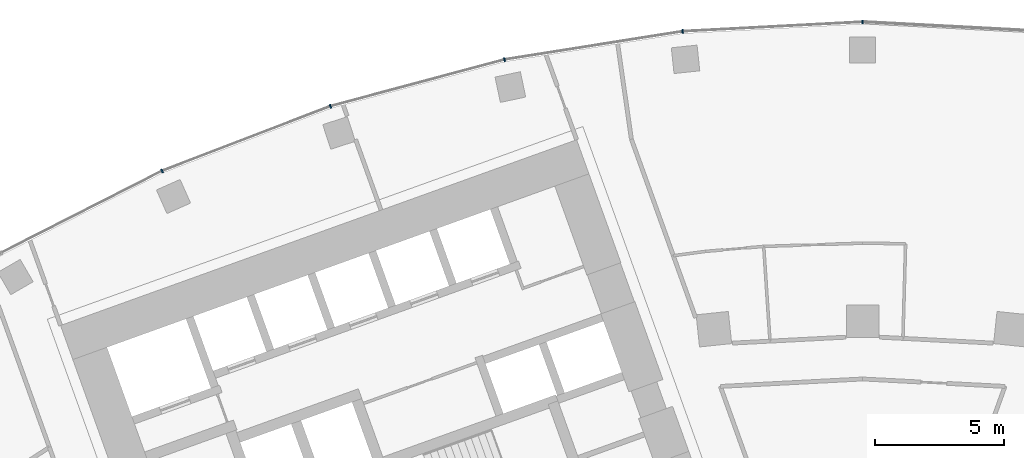
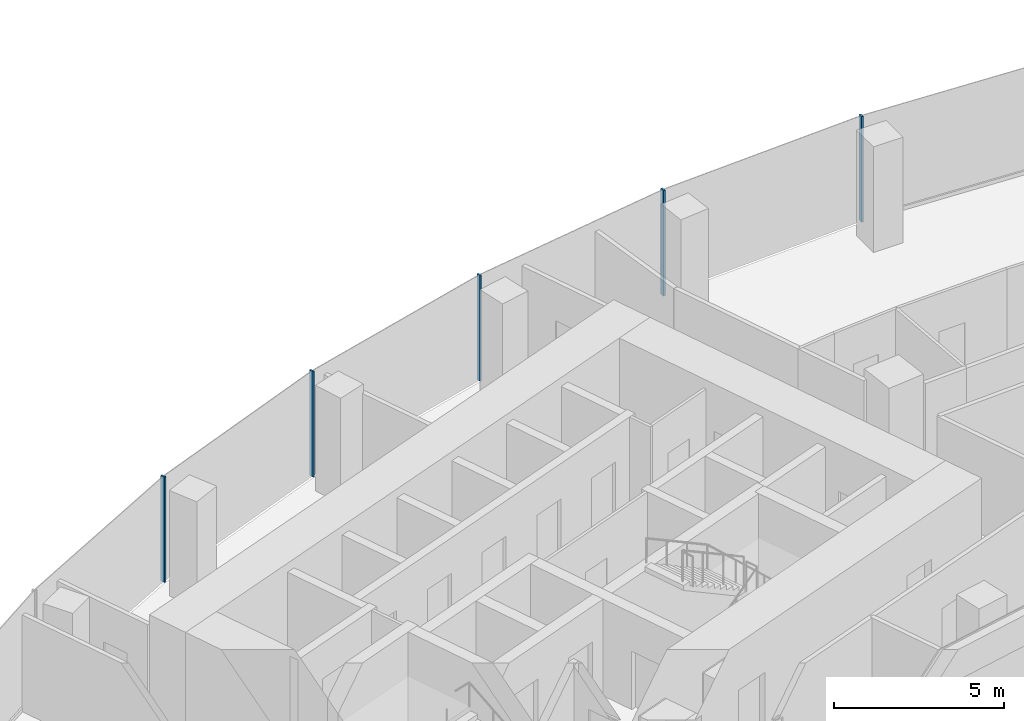
# One storey, part 6 of 20: 5 members, 1 element without a shape of its own.
"""IFC4 building model written with IfcOpenShell, lengths in metres."""

import ifcopenshell
import ifcopenshell.guid

model = None  # the IFC model being written
_history = None  # IfcOwnerHistory: only IFC2X3 demands one
_inside = {}  # id of a spatial element -> (the spatial element, [elements in it])
_under = {}  # id of a project, library or spatial element -> (it, [spatial elements below it])
_declared = {}  # id of a project -> (the project, [libraries it declares])
_typed = {}  # id of a type object -> (the type object, [elements of that type])
_made_of = {}  # id of a material, layer set ... -> (it, [elements and type objects made of it])


def new_model(schema):
    """Start an empty IFC model of exactly this schema.

    Asked for "IFC4X3", IfcOpenShell would pick the latest addendum, in which some entities
    have other attributes; the version numbers below select the first issue.
    IFC2X3 requires an IfcOwnerHistory on every rooted entity: one is made here for all.
    """
    global model, _history
    if schema == "IFC4X3":
        model = ifcopenshell.file(schema_version=(4, 3, 0, 0))
    else:
        model = ifcopenshell.file(schema=schema)
    _inside.clear()
    _under.clear()
    _declared.clear()
    _typed.clear()
    _made_of.clear()
    _history = None
    if model.schema == "IFC2X3":
        org = make("IfcOrganization", Name="unknown")
        user = make(
            "IfcPersonAndOrganization",
            ThePerson=make("IfcPerson", FamilyName="unknown"),
            TheOrganization=org,
        )
        app = make(
            "IfcApplication",
            ApplicationDeveloper=org,
            Version="unknown",
            ApplicationFullName="unknown",
            ApplicationIdentifier="unknown",
        )
        _history = make(
            "IfcOwnerHistory",
            OwningUser=user,
            OwningApplication=app,
            ChangeAction="ADDED",
            CreationDate=0,
        )
    return model


def make(cls, **values):
    """One entity of the class cls with the attributes given. An attribute that is None is left unset."""
    return model.create_entity(
        cls, **{name: value for name, value in values.items() if value is not None}
    )


def rooted(cls, **values):
    """An entity with a GlobalId (a new one), such as an element, a storey or a relation."""
    return make(cls, GlobalId=ifcopenshell.guid.new(), OwnerHistory=_history, **values)


def si_unit(unit_type, name, prefix=None):
    """IfcSIUnit, for example si_unit("LENGTHUNIT", "METRE", prefix="MILLI")."""
    return make("IfcSIUnit", UnitType=unit_type, Prefix=prefix, Name=name)


def assignment(units):
    """IfcUnitAssignment: the units of a project."""
    return None if units is None else make("IfcUnitAssignment", Units=units)


def point(xyz):
    """IfcCartesianPoint."""
    return None if xyz is None else make("IfcCartesianPoint", Coordinates=xyz)


def direction(xyz):
    """IfcDirection."""
    return None if xyz is None else make("IfcDirection", DirectionRatios=xyz)


def frame(location, z_axis=None, x_axis=None):
    """IfcAxis2Placement3D, a coordinate frame: its origin and axes. An axis left out is left unset."""
    return make(
        "IfcAxis2Placement3D",
        Location=point(location),
        Axis=direction(z_axis),
        RefDirection=direction(x_axis),
    )


def frame_2d(location, x_axis=None):
    """IfcAxis2Placement2D, a coordinate frame in the plane: its origin and x axis."""
    return make(
        "IfcAxis2Placement2D", Location=point(location), RefDirection=direction(x_axis)
    )


def origin():
    """The frame at (0, 0, 0) with its axes left unset."""
    return frame((0.0, 0.0, 0.0))


def origin_2d():
    """The frame at (0, 0) in the plane with its x axis left unset."""
    return frame_2d((0.0, 0.0))


def place(relative_to, where):
    """IfcLocalPlacement: puts the frame where relative to a parent placement (None: the world)."""
    return make(
        "IfcLocalPlacement", PlacementRelTo=relative_to, RelativePlacement=where
    )


def context(
    kind, dimensions, precision=None, world=None, true_north=None, identifier=None
):
    """IfcGeometricRepresentationContext, for example the 3D "Model" context."""
    return make(
        "IfcGeometricRepresentationContext",
        ContextIdentifier=identifier,
        ContextType=kind,
        CoordinateSpaceDimension=dimensions,
        Precision=precision,
        WorldCoordinateSystem=world,
        TrueNorth=true_north,
    )


def subcontext(parent, identifier, kind, view, scale=None):
    """IfcGeometricRepresentationSubContext, for example "Body" below "Model"."""
    return make(
        "IfcGeometricRepresentationSubContext",
        ContextIdentifier=identifier,
        ContextType=kind,
        ParentContext=parent,
        TargetScale=scale,
        TargetView=view,
    )


def project(units=None, contexts=None):
    """IfcProject with its units and contexts."""
    return rooted(
        "IfcProject",
        Name="project",
        RepresentationContexts=contexts,
        UnitsInContext=assignment(units),
    )


def spatial(cls, under=None, at=None, **own):
    """A site, building, storey or space (cls), placed at a placement, below another one or the project."""
    s = rooted(cls, ObjectPlacement=at, **own)
    if under is not None:
        _under.setdefault(under.id(), (under, []))[1].append(s)
    return s


def profile(cls, at=None, kind="AREA", **sizes):
    """A parametric profile (cls). Its sizes go by their IFC names, for example OverallWidth=200.0."""
    return make(cls, ProfileType=kind, Position=at, **sizes)


def rectangle(**sizes):
    """IfcRectangleProfileDef."""
    return profile("IfcRectangleProfileDef", **sizes)


def extrude(swept, where, along, depth):
    """IfcExtrudedAreaSolid: the profile swept, set in the frame where, extruded along a direction by depth."""
    return make(
        "IfcExtrudedAreaSolid",
        SweptArea=swept,
        Position=where,
        ExtrudedDirection=direction(along),
        Depth=depth,
    )


def shape(context_of_items, identifier, shape_type, items):
    """IfcShapeRepresentation: the items that make up one representation, for example the "Body"."""
    return make(
        "IfcShapeRepresentation",
        ContextOfItems=context_of_items,
        RepresentationIdentifier=identifier,
        RepresentationType=shape_type,
        Items=items,
    )


def material(Name=None, Category=None):
    """IfcMaterial."""
    return make("IfcMaterial", Name=Name, Category=Category)


def layer(
    of_material, thickness, ventilated=None, Name=None, Category=None, Priority=None
):
    """IfcMaterialLayer: one layer of a wall or slab, of a material (None: an air gap)."""
    return make(
        "IfcMaterialLayer",
        Material=of_material,
        LayerThickness=thickness,
        IsVentilated=ventilated,
        Name=Name,
        Category=Category,
        Priority=Priority,
    )


def layer_set(layers, Name=None):
    """IfcMaterialLayerSet."""
    return make("IfcMaterialLayerSet", MaterialLayers=layers, LayerSetName=Name)


def material_profile(
    of_material, cross_section, Name=None, Category=None, Priority=None
):
    """IfcMaterialProfile: a cross section and its material."""
    return make(
        "IfcMaterialProfile",
        Name=Name,
        Material=of_material,
        Profile=cross_section,
        Priority=Priority,
        Category=Category,
    )


def profile_set(profiles, Name=None, composite=None):
    """IfcMaterialProfileSet."""
    return make(
        "IfcMaterialProfileSet",
        Name=Name,
        MaterialProfiles=profiles,
        CompositeProfile=composite,
    )


def made_of(thing, what):
    """Note that an element or type object is made of a material, layer set ...; save() writes the relation."""
    if what is not None:
        _made_of.setdefault(what.id(), (what, []))[1].append(thing)
    return thing


def type_object(cls, material=None, **own):
    """A type object (cls), such as IfcWallType, which elements share."""
    return made_of(rooted(cls, **own), material)


def element(
    cls,
    number,
    at=None,
    inside=None,
    cuts=None,
    type_object=None,
    material=None,
    context=None,
    identifier="Body",
    shape_type=None,
    held_by="IfcProductDefinitionShape",
    body=None,
    shapes=None,
    **own,
):
    """One element of the class cls, such as IfcWall. Its Tag is "e" and its number.

    at: its placement. inside: the storey or other place that contains it. cuts: it is an
    opening in that element (IfcRelVoidsElement). A single representation is given by context,
    identifier, shape_type and body (its items); several are given by shapes. held_by: the class
    of the entity that holds the representations. save() writes the other relations.
    """
    e = rooted(cls, Tag="e%d" % number, ObjectPlacement=at, **own)
    if body is not None:
        shapes = [shape(context, identifier, shape_type, body)]
    if shapes is not None:
        e.Representation = make(held_by, Representations=shapes)
    if inside is not None:
        _inside.setdefault(inside.id(), (inside, []))[1].append(e)
    if cuts is not None:
        rooted(
            "IfcRelVoidsElement", RelatingBuildingElement=cuts, RelatedOpeningElement=e
        )
    if type_object is not None:
        _typed.setdefault(type_object.id(), (type_object, []))[1].append(e)
    return made_of(e, material)


def aggregate(whole, parts):
    """IfcRelAggregates: a whole, such as a stair, and the parts it consists of."""
    return rooted("IfcRelAggregates", RelatingObject=whole, RelatedObjects=parts)


def save(model, path):
    """Write the relations noted so far, then the file.

    IfcRelAggregates (storeys below a building ...), IfcRelContainedInSpatialStructure (elements
    in a storey), IfcRelDefinesByType, IfcRelAssociatesMaterial and IfcRelDeclares: one each for
    every whole, place, type object, material and project.
    """
    for whole, parts in _under.values():
        aggregate(whole, parts)
    for where, things in _inside.values():
        rooted(
            "IfcRelContainedInSpatialStructure",
            RelatedElements=things,
            RelatingStructure=where,
        )
    for kind, things in _typed.values():
        rooted("IfcRelDefinesByType", RelatedObjects=things, RelatingType=kind)
    for what, things in _made_of.values():
        rooted("IfcRelAssociatesMaterial", RelatedObjects=things, RelatingMaterial=what)
    for by, libraries in _declared.values():
        rooted("IfcRelDeclares", RelatingContext=by, RelatedDefinitions=libraries)
    model.write(path)


model = new_model("IFC4")

# Units and contexts
model_context = context("Model", 3, precision=1e-05, world=origin(), true_north=direction((0.0, 1.0)))
body_context = subcontext(model_context, "Body", "Model", "MODEL_VIEW")
ifc_project = project(units=[si_unit("LENGTHUNIT", "METRE"), si_unit("AREAUNIT", "SQUARE_METRE"), si_unit("VOLUMEUNIT", "CUBIC_METRE"), si_unit("PLANEANGLEUNIT", "RADIAN"), si_unit("MASSUNIT", "GRAM", prefix="KILO")], contexts=[model_context])

# Site, building, storey
site_placement = place(None, origin())
site = spatial("IfcSite", under=ifc_project, at=site_placement, CompositionType="ELEMENT")
building_placement = place(site_placement, origin())
building = spatial("IfcBuilding", under=site, at=building_placement, Name="Stone Belt Terrace Tower", CompositionType="ELEMENT")
storey_placement = place(building_placement, frame((0.0, 0.0, 174.39990234375)))
storey = spatial("IfcBuildingStorey", under=building, at=storey_placement, Name="L42", CompositionType="ELEMENT", Elevation=174.39990234375)

# Curtain wall, members
ifc_material = material(Name="Aluminium 6063-T6 anodised frame", Category="aluminium")
ifc_layer = layer(ifc_material, 0.14990234375)
ifc_layer_set = layer_set([ifc_layer], Name="CW-A unitised convex-face curtain wall")
curtain_wall_type = type_object("IfcCurtainWallType", Name="CW-A unitised convex-face curtain wall", PredefinedType="NOTDEFINED", material=ifc_layer_set)
curtain_wall_placement = place(storey_placement, origin())
curtain_wall = element("IfcCurtainWall", 1, at=curtain_wall_placement, inside=storey, type_object=curtain_wall_type, Name="CW-A convex face L42", PredefinedType="NOTDEFINED")
ifc_material_profile = material_profile(ifc_material, rectangle(XDim=0.14990234375, YDim=0.06005859375, at=origin_2d()), Name="Aluminium 6063-T6 60x150")
ifc_profile_set = profile_set([ifc_material_profile], Name="Aluminium 6063-T6 anodised frame")
member_type = type_object("IfcMemberType", Name="CW-A mullion 60 x 150", PredefinedType="MULLION", material=ifc_profile_set)
member_1_placement = place(storey_placement, frame((0.0, 66.5751953125, 0.0), z_axis=(0.0, 0.0, 1.0), x_axis=(0.0, -1.0, 0.0)))
member_1 = element("IfcMember", 2, at=member_1_placement, type_object=member_type, Name="CW-A mullion 8", PredefinedType="MULLION", context=body_context, shape_type="SweptSolid", body=[
    extrude(rectangle(XDim=0.14990234375, YDim=0.06005859375, at=origin_2d()), origin(), (0.0, 0.0, 1.0), 3.800048828125),
])
member_2_placement = place(storey_placement, frame((-6.958984375, 66.21044921875, 0.0), z_axis=(0.0, 0.0, 1.0), x_axis=(0.104528463268, -0.994521895368, 0.0)))
member_2 = element("IfcMember", 3, at=member_2_placement, type_object=member_type, Name="CW-A mullion 9", PredefinedType="MULLION", context=body_context, shape_type="SweptSolid", body=[
    extrude(rectangle(XDim=0.14990234375, YDim=0.06005859375, at=origin_2d()), origin(), (0.0, 0.0, 1.0), 3.800048828125),
])
member_3_placement = place(storey_placement, frame((-13.841796875, 65.120361328125, 0.0), z_axis=(0.0, 0.0, 1.0), x_axis=(0.207911690818, -0.978147600734, 0.0)))
member_3 = element("IfcMember", 4, at=member_3_placement, type_object=member_type, Name="CW-A mullion 10", PredefinedType="MULLION", context=body_context, shape_type="SweptSolid", body=[
    extrude(rectangle(XDim=0.14990234375, YDim=0.06005859375, at=origin_2d()), origin(), (0.0, 0.0, 1.0), 3.800048828125),
])
member_4_placement = place(storey_placement, frame((-20.57275390625, 63.316650390625, 0.0), z_axis=(0.0, 0.0, 1.0), x_axis=(0.309016994375, -0.951056516295, 0.0)))
member_4 = element("IfcMember", 5, at=member_4_placement, type_object=member_type, Name="CW-A mullion 11", PredefinedType="MULLION", context=body_context, shape_type="SweptSolid", body=[
    extrude(rectangle(XDim=0.14990234375, YDim=0.06005859375, at=origin_2d()), origin(), (0.0, 0.0, 1.0), 3.800048828125),
])
member_5_placement = place(storey_placement, frame((-27.07861328125, 60.8193359375, 0.0), z_axis=(0.0, 0.0, 1.0), x_axis=(0.406736643076, -0.913545457643, 0.0)))
member_5 = element("IfcMember", 6, at=member_5_placement, type_object=member_type, Name="CW-A mullion 12", PredefinedType="MULLION", context=body_context, shape_type="SweptSolid", body=[
    extrude(rectangle(XDim=0.14990234375, YDim=0.06005859375, at=origin_2d()), origin(), (0.0, 0.0, 1.0), 3.800048828125),
])
aggregate(curtain_wall, [member_1, member_2, member_3, member_4, member_5])

save(model, "model.ifc")
